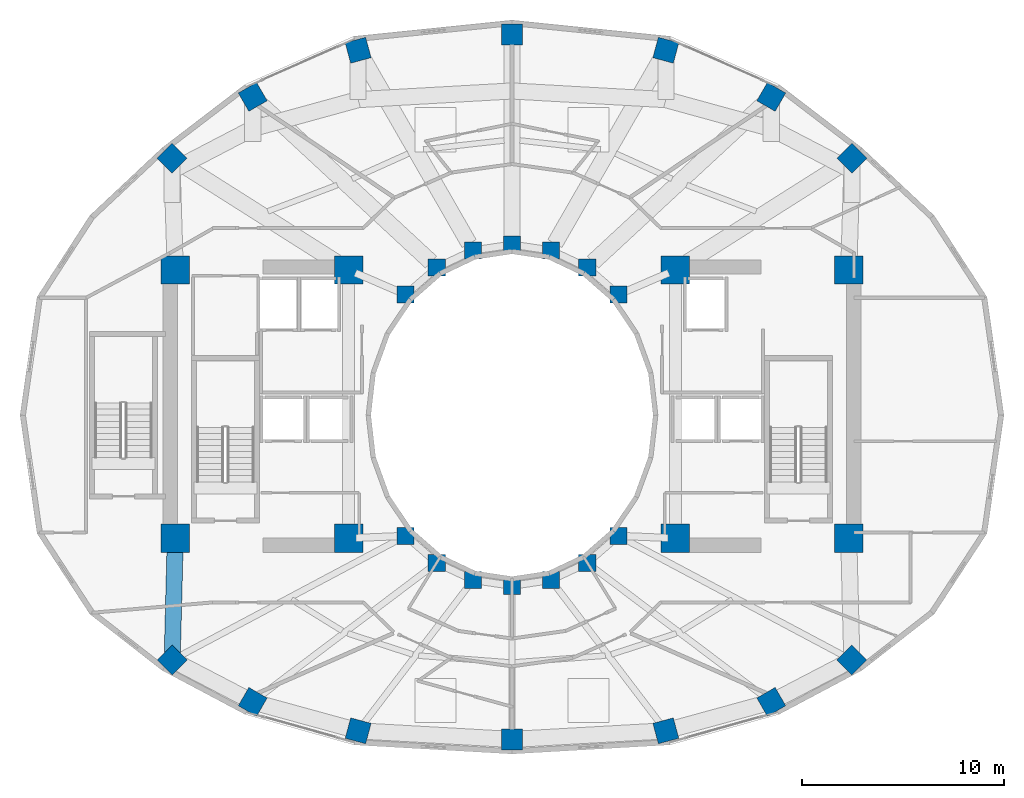
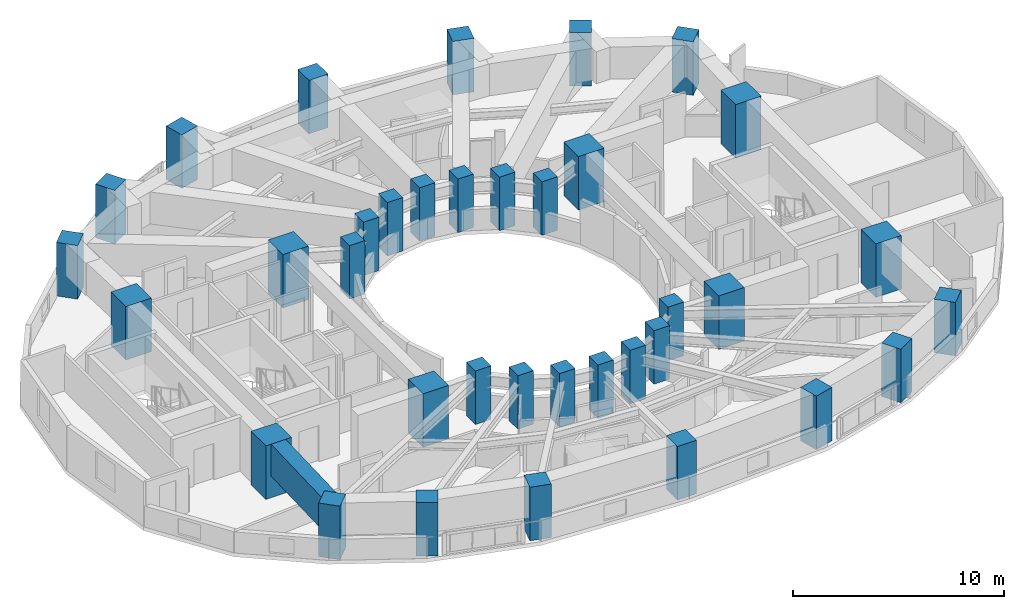
# One storey, part 1 of 16: 36 columns, 1 beam.
"""IFC4 building model written with IfcOpenShell, lengths in metres."""

from ifc_helpers import new_model, si_unit, direction, frame, origin, origin_2d, place, context, subcontext, project, spatial, rectangle, extrude, material, material_profile, profile_set, type_object, element, save


model = new_model("IFC4")

# Units and contexts
model_context = context("Model", 3, precision=1e-05, world=origin(), true_north=direction((0.0, 1.0)))
body_context = subcontext(model_context, "Body", "Model", "MODEL_VIEW")
ifc_project = project(units=[si_unit("LENGTHUNIT", "METRE"), si_unit("AREAUNIT", "SQUARE_METRE"), si_unit("VOLUMEUNIT", "CUBIC_METRE"), si_unit("PLANEANGLEUNIT", "RADIAN"), si_unit("MASSUNIT", "GRAM", prefix="KILO")], contexts=[model_context])

# Site, building, storey
site_placement = place(None, origin())
site = spatial("IfcSite", under=ifc_project, at=site_placement, CompositionType="ELEMENT")
building_placement = place(site_placement, origin())
building = spatial("IfcBuilding", under=site, at=building_placement, Name="Solvane Sanctuary Tower", CompositionType="ELEMENT")
storey_placement = place(building_placement, frame((0.0, 0.0, 119.699951171875)))
storey = spatial("IfcBuildingStorey", under=building, at=storey_placement, Name="L36", CompositionType="ELEMENT", Elevation=119.699951171875)

# Columns
ifc_material_1 = material(Name="Concrete C70/85", Category="concrete")
ifc_material_profile_1 = material_profile(ifc_material_1, rectangle(XDim=1.39990234375, YDim=1.39990234375, at=origin_2d()), Name="RC1400X1400")
ifc_profile_set_1 = profile_set([ifc_material_profile_1], Name="Concrete C70/85")
column_type_1 = type_object("IfcColumnType", Name="Column C-POD-INT RC1400X1400", PredefinedType="COLUMN", material=ifc_profile_set_1)
for number, where, z_axis, x_axis, name in (
    (1, (15.300048828125, 16.89990234375, 0.0), (0.0, 0.0, 1.0), (1.0, 0.0, 0.0), "L36 Core Corner Column CW1"),
    (2, (23.89990234375, 16.89990234375, 0.0), (0.0, 0.0, 1.0), (1.0, 0.0, 0.0), "L36 Core Corner Column CW2"),
    (3, (23.89990234375, 30.199951171875, 0.0), (0.0, 0.0, 1.0), (1.0, 0.0, 0.0), "L36 Core Corner Column CW3"),
    (4, (15.300048828125, 30.199951171875, 0.0), (0.0, 0.0, 1.0), (1.0, 0.0, 0.0), "L36 Core Corner Column CW4"),
    (5, (40.10009765625, 16.89990234375, 0.0), (0.0, 0.0, 1.0), (1.0, 0.0, 0.0), "L36 Core Corner Column CE1"),
    (6, (48.699951171875, 16.89990234375, 0.0), (0.0, 0.0, 1.0), (1.0, 0.0, 0.0), "L36 Core Corner Column CE2"),
    (7, (48.699951171875, 30.199951171875, 0.0), (0.0, 0.0, 1.0), (1.0, 0.0, 0.0), "L36 Core Corner Column CE3"),
    (8, (40.10009765625, 30.199951171875, 0.0), (0.0, 0.0, 1.0), (1.0, 0.0, 0.0), "L36 Core Corner Column CE4"),
):
    element("IfcColumn", number, at=place(storey_placement, frame(where, z_axis=z_axis, x_axis=x_axis)), inside=storey, type_object=column_type_1, Name=name, PredefinedType="COLUMN", context=body_context, shape_type="SweptSolid", body=[
        extrude(rectangle(XDim=1.39990234375, YDim=1.39990234375, at=origin_2d()), origin(), (0.0, 0.0, 1.0), 3.10009765625),
    ])
ifc_material_2 = material(Name="Concrete C60/75", Category="concrete")
ifc_material_profile_2 = material_profile(ifc_material_2, rectangle(XDim=0.85009765625, YDim=0.85009765625, at=origin_2d()), Name="RC850X850")
ifc_profile_set_2 = profile_set([ifc_material_profile_2], Name="Concrete C60/75")
column_type_2 = type_object("IfcColumnType", Name="Column C-RING-Z2 RC850X850", PredefinedType="COLUMN", material=ifc_profile_set_2)
for number, where, z_axis, x_axis, name in (
    (9, (37.27490234375, 28.982177734375, 0.0), (0.0, 0.0, 1.0), (1.0, 0.0, 0.0), "L36 Inner Light-Well Ring Column IC01"),
    (10, (35.72998046875, 30.32666015625, 0.0), (0.0, 0.0, 1.0), (1.0, 0.0, 0.0), "L36 Inner Light-Well Ring Column IC02"),
    (11, (33.930908203125, 31.171630859375, 0.0), (0.0, 0.0, 1.0), (1.0, 0.0, 0.0), "L36 Inner Light-Well Ring Column IC03"),
    (12, (32.0, 31.4599609375, 0.0), (0.0, 0.0, 1.0), (1.0, 0.0, 0.0), "L36 Inner Light-Well Ring Column IC04"),
    (13, (30.069091796875, 31.171630859375, 0.0), (0.0, 0.0, 1.0), (1.0, 0.0, 0.0), "L36 Inner Light-Well Ring Column IC05"),
    (14, (28.27001953125, 30.32666015625, 0.0), (0.0, 0.0, 1.0), (1.0, 0.0, 0.0), "L36 Inner Light-Well Ring Column IC06"),
    (15, (26.72509765625, 28.982177734375, 0.0), (0.0, 0.0, 1.0), (1.0, 0.0, 0.0), "L36 Inner Light-Well Ring Column IC07"),
    (16, (26.72509765625, 17.017822265625, 0.0), (0.0, 0.0, 1.0), (1.0, 0.0, 0.0), "L36 Inner Light-Well Ring Column IC08"),
    (17, (28.27001953125, 15.67333984375, 0.0), (0.0, 0.0, 1.0), (1.0, 0.0, 0.0), "L36 Inner Light-Well Ring Column IC09"),
    (18, (30.069091796875, 14.828369140625, 0.0), (0.0, 0.0, 1.0), (1.0, 0.0, 0.0), "L36 Inner Light-Well Ring Column IC10"),
    (19, (32.0, 14.5400390625, 0.0), (0.0, 0.0, 1.0), (1.0, 0.0, 0.0), "L36 Inner Light-Well Ring Column IC11"),
    (20, (33.930908203125, 14.828369140625, 0.0), (0.0, 0.0, 1.0), (1.0, 0.0, 0.0), "L36 Inner Light-Well Ring Column IC12"),
    (21, (35.72998046875, 15.67333984375, 0.0), (0.0, 0.0, 1.0), (1.0, 0.0, 0.0), "L36 Inner Light-Well Ring Column IC13"),
    (22, (37.27490234375, 17.017822265625, 0.0), (0.0, 0.0, 1.0), (1.0, 0.0, 0.0), "L36 Inner Light-Well Ring Column IC14"),
):
    element("IfcColumn", number, at=place(storey_placement, frame(where, z_axis=z_axis, x_axis=x_axis)), inside=storey, type_object=column_type_2, Name=name, PredefinedType="COLUMN", context=body_context, shape_type="SweptSolid", body=[
        extrude(rectangle(XDim=0.85009765625, YDim=0.85009765625, at=origin_2d()), origin(), (0.0, 0.0, 1.0), 3.10009765625),
    ])
ifc_material_profile_3 = material_profile(ifc_material_2, rectangle(XDim=1.050048828125, YDim=1.050048828125, at=origin_2d()), Name="RC1050X1050")
ifc_profile_set_3 = profile_set([ifc_material_profile_3], Name="Concrete C60/75")
column_type_3 = type_object("IfcColumnType", Name="Column C-TUBE-Z2 RC1050X1050", PredefinedType="COLUMN", material=ifc_profile_set_3)
for number, where, z_axis, x_axis, name in (
    (23, (48.85302734375, 35.742919921875, 0.0), (0.0, 0.0, 1.0), (0.707106781187, 0.707106781187, 0.0), "L36 Perimeter Tube Column TC01"),
    (24, (44.8583984375, 38.7861328125, 0.0), (0.0, 0.0, 1.0), (0.5, 0.866025403784, 0.0), "L36 Perimeter Tube Column TC02"),
    (25, (39.62939453125, 41.10009765625, 0.0), (0.0, 0.0, 1.0), (0.258819045103, 0.965925826289, 0.0), "L36 Perimeter Tube Column TC03"),
    (26, (32.0, 41.8798828125, 0.0), (0.0, 0.0, 1.0), (0.0, 1.0, 0.0), "L36 Perimeter Tube Column TC04"),
    (27, (24.37060546875, 41.10009765625, 0.0), (0.0, 0.0, 1.0), (-0.258819045103, 0.965925826289, 0.0), "L36 Perimeter Tube Column TC05"),
    (28, (19.1416015625, 38.7861328125, 0.0), (0.0, 0.0, 1.0), (-0.5, 0.866025403784, 0.0), "L36 Perimeter Tube Column TC06"),
    (29, (15.14697265625, 35.742919921875, 0.0), (0.0, 0.0, 1.0), (-0.707106781187, 0.707106781187, 0.0), "L36 Perimeter Tube Column TC07"),
    (30, (15.14697265625, 10.86181640625, 0.0), (0.0, 0.0, 1.0), (-0.707106781187, -0.707106781187, 0.0), "L36 Perimeter Tube Column TC08"),
    (31, (19.1416015625, 8.782470703125, 0.0), (0.0, 0.0, 1.0), (-0.5, -0.866025403784, 0.0), "L36 Perimeter Tube Column TC09"),
    (32, (24.37060546875, 7.347900390625, 0.0), (0.0, 0.0, 1.0), (-0.258819045103, -0.965925826289, 0.0), "L36 Perimeter Tube Column TC10"),
    (33, (32.0, 6.919921875, 0.0), (0.0, 0.0, 1.0), (0.0, -1.0, 0.0), "L36 Perimeter Tube Column TC11"),
    (34, (39.62939453125, 7.347900390625, 0.0), (0.0, 0.0, 1.0), (0.258819045103, -0.965925826289, 0.0), "L36 Perimeter Tube Column TC12"),
    (35, (44.8583984375, 8.782470703125, 0.0), (0.0, 0.0, 1.0), (0.5, -0.866025403784, 0.0), "L36 Perimeter Tube Column TC13"),
    (36, (48.85302734375, 10.86181640625, 0.0), (0.0, 0.0, 1.0), (0.707106781187, -0.707106781187, 0.0), "L36 Perimeter Tube Column TC14"),
):
    element("IfcColumn", number, at=place(storey_placement, frame(where, z_axis=z_axis, x_axis=x_axis)), inside=storey, type_object=column_type_3, Name=name, PredefinedType="COLUMN", context=body_context, shape_type="SweptSolid", body=[
        extrude(rectangle(XDim=1.050048828125, YDim=1.050048828125, at=origin_2d()), origin(), (0.0, 0.0, 1.0), 3.10009765625),
    ])

# Beam
ifc_material_profile_4 = material_profile(ifc_material_1, rectangle(XDim=0.800048828125, YDim=1.85009765625, at=origin_2d()), Name="RC800X1850")
ifc_profile_set_4 = profile_set([ifc_material_profile_4], Name="Concrete C70/85")
beam_type = type_object("IfcBeamType", Name="Beam B-XFER-BLK RC800X1850", PredefinedType="BEAM", material=ifc_profile_set_4)
beam_placement = place(storey_placement, frame((15.291015625, 16.5400390625, 2.175048828125), z_axis=(-0.025359457149, -0.999678397252, 0.0), x_axis=(0.999678397252, -0.025359457149, 0.0)))
element("IfcBeam", 37, at=beam_placement, inside=storey, type_object=beam_type, Name="L36 Perimeter Step Transfer Ring CW1-NTC08", PredefinedType="BEAM", context=body_context, shape_type="SweptSolid", body=[
    extrude(rectangle(XDim=0.800048828125, YDim=1.85009765625, at=origin_2d()), origin(), (0.0, 0.0, 1.0), 5.679931640625),
])

save(model, "model.ifc")
